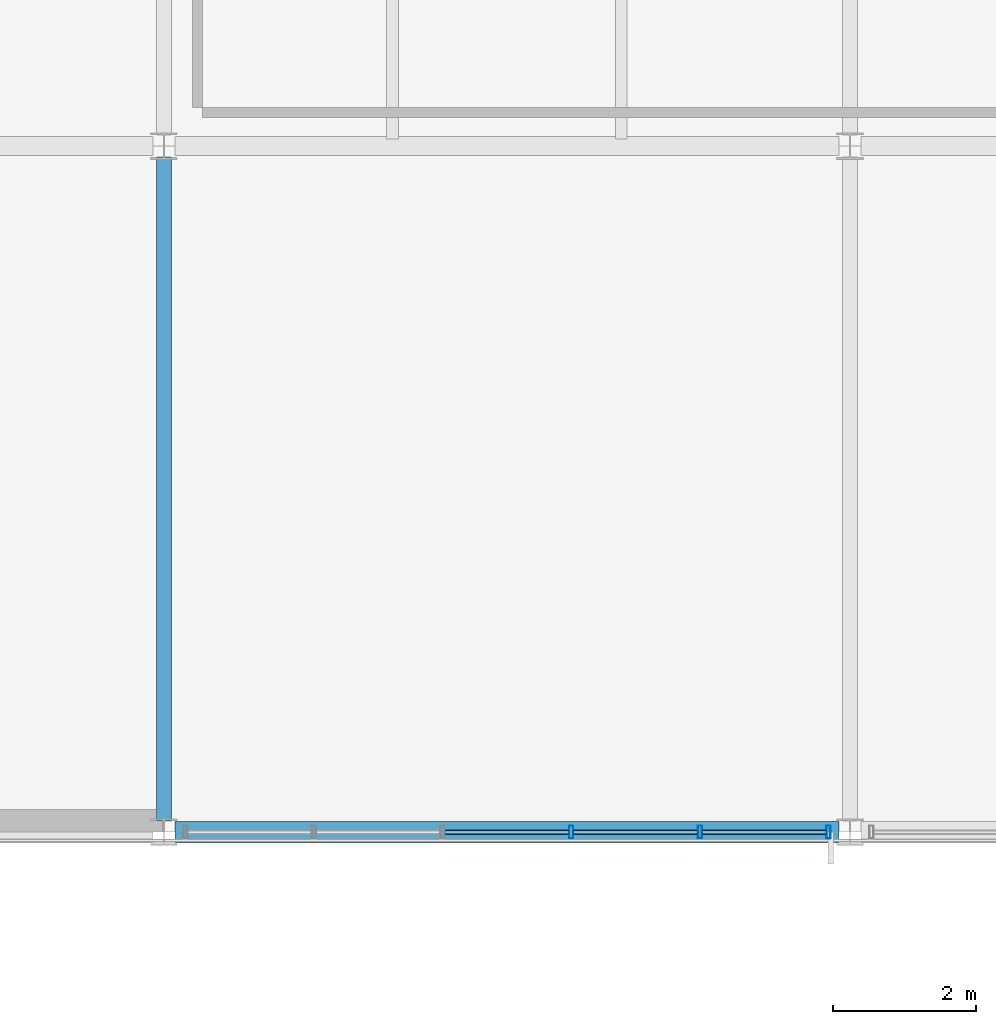
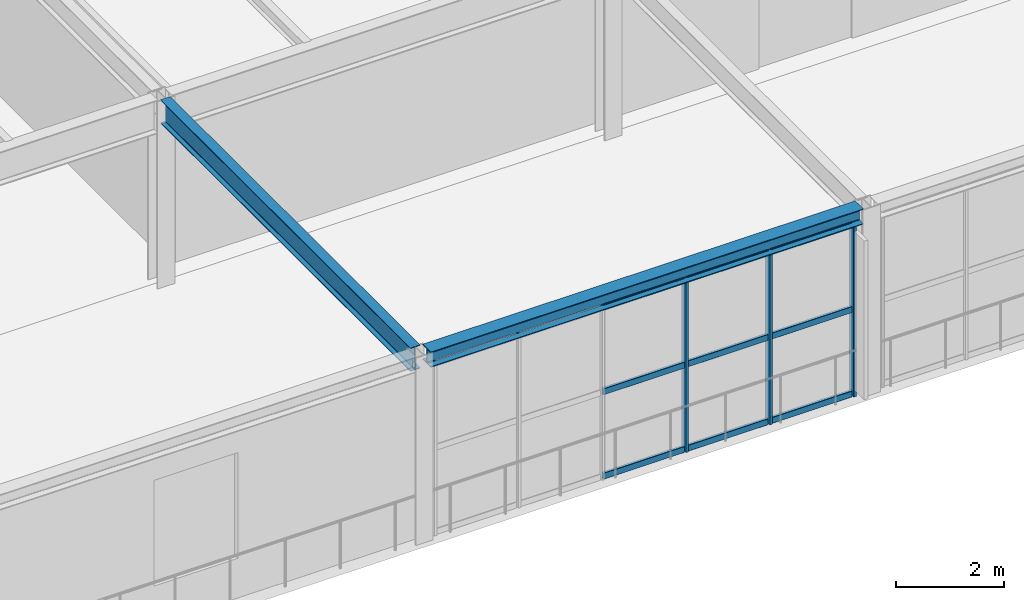
# One storey, part 96 of 170: 12 members, 2 beams, 1 element without a shape of its own.
"""IFC4 building model written with IfcOpenShell, lengths in metres."""

from ifc_helpers import new_model, si_unit, direction, frame, origin, origin_2d, place, context, subcontext, project, spatial, hollow_rectangle, i_section, extrude, material, material_profile, profile_set, type_object, element, aggregate, save


model = new_model("IFC4")

# Units and contexts
model_context = context("Model", 3, precision=1e-05, world=origin(), true_north=direction((0.0, 1.0)))
body_context = subcontext(model_context, "Body", "Model", "MODEL_VIEW")
ifc_project = project(units=[si_unit("LENGTHUNIT", "METRE"), si_unit("AREAUNIT", "SQUARE_METRE"), si_unit("VOLUMEUNIT", "CUBIC_METRE"), si_unit("PLANEANGLEUNIT", "RADIAN"), si_unit("MASSUNIT", "GRAM", prefix="KILO")], contexts=[model_context])

# Site, building, storey
site_placement = place(None, origin())
site = spatial("IfcSite", under=ifc_project, at=site_placement, CompositionType="ELEMENT")
building_placement = place(site_placement, origin())
building = spatial("IfcBuilding", under=site, at=building_placement, Name="Coralgate Yard Interchange", CompositionType="ELEMENT")
storey_placement = place(building_placement, frame((0.0, 0.0, 6.0)))
storey = spatial("IfcBuildingStorey", under=building, at=storey_placement, Name="L01", CompositionType="ELEMENT", Elevation=6.0)

# Beams
ifc_material_1 = material(Name="Structural steel S355J2", Category="steel")
ifc_material_profile_1 = material_profile(ifc_material_1, i_section(OverallWidth=0.209228515625, OverallDepth=0.533203125, WebThickness=0.010009765625, FlangeThickness=0.015625, FilletRadius=0.0126953125, at=origin_2d()), Name="UB 533x210x92")
ifc_profile_set_1 = profile_set([ifc_material_profile_1], Name="Structural steel S355J2")
beam_type_1 = type_object("IfcBeamType", Name="BM-SB-1", PredefinedType="BEAM", material=ifc_profile_set_1)
beam_1_placement = place(storey_placement, frame((86.39990234375, 67.35400390625, 3.9833984375), z_axis=(0.0, 1.0, 0.0), x_axis=(-1.0, 0.0, 0.0)))
element("IfcBeam", 1, at=beam_1_placement, inside=storey, type_object=beam_type_1, Name="L01 primary grid girder X9 Y7-8", PredefinedType="BEAM", context=body_context, shape_type="SweptSolid", body=[
    extrude(i_section(OverallWidth=0.209228515625, OverallDepth=0.533203125, WebThickness=0.010009765625, FlangeThickness=0.015625, FilletRadius=0.0126953125, at=origin_2d()), origin(), (0.0, 0.0, 1.0), 9.2919921875),
])
ifc_material_profile_2 = material_profile(ifc_material_1, i_section(OverallWidth=0.300048828125, OverallDepth=0.35009765625, WebThickness=0.010009765625, FlangeThickness=0.017578125, FilletRadius=0.027099609375, at=origin_2d()), Name="HEA 360")
ifc_profile_set_2 = profile_set([ifc_material_profile_2], Name="Structural steel S355J2")
beam_type_2 = type_object("IfcBeamType", Name="BM-SP-1", PredefinedType="SPANDREL", material=ifc_profile_set_2)
beam_2_placement = place(storey_placement, frame((86.556396484375, 67.199951171875, 4.074951171875), z_axis=(1.0, 0.0, 0.0), x_axis=(0.0, 1.0, 0.0)))
element("IfcBeam", 2, at=beam_2_placement, inside=storey, type_object=beam_type_2, Name="L01 primary grid beam Y7 X9-10", PredefinedType="SPANDREL", context=body_context, shape_type="SweptSolid", body=[
    extrude(i_section(OverallWidth=0.300048828125, OverallDepth=0.35009765625, WebThickness=0.010009765625, FlangeThickness=0.017578125, FilletRadius=0.027099609375, at=origin_2d()), origin(), (0.0, 0.0, 1.0), 9.287353515625),
])

# Curtain wall, members
ifc_material_2 = material(Name="Anodised coastal aluminium and solar-control low-E glass", Category="aluminium")
curtain_wall_type = type_object("IfcCurtainWallType", Name="CW-CW-L01-A", PredefinedType="NOTDEFINED", material=ifc_material_2)
curtain_wall_placement = place(storey_placement, origin())
curtain_wall = element("IfcCurtainWall", 3, at=curtain_wall_placement, inside=storey, type_object=curtain_wall_type, Name="L01 unitised curtain wall CW-L01-S-09-07", PredefinedType="NOTDEFINED")
ifc_material_3 = material(Name="Anodised coastal aluminium 6063-T6", Category="aluminium")
ifc_material_profile_3 = material_profile(ifc_material_3, hollow_rectangle(XDim=0.06005859375, YDim=0.179931640625, WallThickness=0.00390625, InnerFilletRadius=0.00390625, OuterFilletRadius=0.008056640625, at=origin_2d()), Name="ALU 60x180x4")
ifc_profile_set_3 = profile_set([ifc_material_profile_3], Name="Anodised coastal aluminium 6063-T6")
member_type_1 = type_object("IfcMemberType", Name="MB-MUL-180", PredefinedType="MULLION", material=ifc_profile_set_3)
member_1_placement = place(storey_placement, frame((95.699951171875, 67.199951171875, 0.0), z_axis=(0.0, 0.0, 1.0), x_axis=(1.0, 0.0, 0.0)))
member_1 = element("IfcMember", 4, at=member_1_placement, type_object=member_type_1, Name="CW-L01-S-09-07 vertical mullion 1", PredefinedType="MULLION", context=body_context, shape_type="SweptSolid", body=[
    extrude(hollow_rectangle(XDim=0.06005859375, YDim=0.179931640625, WallThickness=0.00390625, InnerFilletRadius=0.00390625, OuterFilletRadius=0.008056640625, at=origin_2d()), origin(), (0.0, 0.0, 1.0), 3.89990234375),
])
member_2_placement = place(storey_placement, frame((93.89990234375, 67.199951171875, 0.0), z_axis=(0.0, 0.0, 1.0), x_axis=(1.0, 0.0, 0.0)))
member_2 = element("IfcMember", 5, at=member_2_placement, type_object=member_type_1, Name="CW-L01-S-09-07 vertical mullion 2", PredefinedType="MULLION", context=body_context, shape_type="SweptSolid", body=[
    extrude(hollow_rectangle(XDim=0.06005859375, YDim=0.179931640625, WallThickness=0.00390625, InnerFilletRadius=0.00390625, OuterFilletRadius=0.008056640625, at=origin_2d()), origin(), (0.0, 0.0, 1.0), 3.89990234375),
])
member_3_placement = place(storey_placement, frame((92.10009765625, 67.199951171875, 0.0), z_axis=(0.0, 0.0, 1.0), x_axis=(1.0, 0.0, 0.0)))
member_3 = element("IfcMember", 6, at=member_3_placement, type_object=member_type_1, Name="CW-L01-S-09-07 vertical mullion 3", PredefinedType="MULLION", context=body_context, shape_type="SweptSolid", body=[
    extrude(hollow_rectangle(XDim=0.06005859375, YDim=0.179931640625, WallThickness=0.00390625, InnerFilletRadius=0.00390625, OuterFilletRadius=0.008056640625, at=origin_2d()), origin(), (0.0, 0.0, 1.0), 3.89990234375),
])
ifc_material_profile_4 = material_profile(ifc_material_3, hollow_rectangle(XDim=0.06005859375, YDim=0.139892578125, WallThickness=0.00341796875, InnerFilletRadius=0.00341796875, OuterFilletRadius=0.007080078125, at=origin_2d()), Name="ALU 60x140x3.5")
ifc_profile_set_4 = profile_set([ifc_material_profile_4], Name="Anodised coastal aluminium 6063-T6")
member_type_2 = type_object("IfcMemberType", Name="MB-TRN-140", PredefinedType="USERDEFINED", material=ifc_profile_set_4)
member_4_placement = place(storey_placement, frame((95.669921875, 67.199951171875, 0.034912109375), z_axis=(-1.0, 0.0, 0.0), x_axis=(0.0, -1.0, 0.0)))
member_4 = element("IfcMember", 7, at=member_4_placement, type_object=member_type_2, Name="CW-L01-S-09-07 horizontal transom 1-1", ObjectType="TRANSOM", PredefinedType="USERDEFINED", context=body_context, shape_type="SweptSolid", body=[
    extrude(hollow_rectangle(XDim=0.06005859375, YDim=0.139892578125, WallThickness=0.00341796875, InnerFilletRadius=0.00341796875, OuterFilletRadius=0.007080078125, at=origin_2d()), origin(), (0.0, 0.0, 1.0), 1.739990234375),
])
member_5_placement = place(storey_placement, frame((95.669921875, 67.199951171875, 1.949951171875), z_axis=(-1.0, 0.0, 0.0), x_axis=(0.0, -1.0, 0.0)))
member_5 = element("IfcMember", 8, at=member_5_placement, type_object=member_type_2, Name="CW-L01-S-09-07 horizontal transom 1-2", ObjectType="TRANSOM", PredefinedType="USERDEFINED", context=body_context, shape_type="SweptSolid", body=[
    extrude(hollow_rectangle(XDim=0.06005859375, YDim=0.139892578125, WallThickness=0.00341796875, InnerFilletRadius=0.00341796875, OuterFilletRadius=0.007080078125, at=origin_2d()), origin(), (0.0, 0.0, 1.0), 1.739990234375),
])
member_6_placement = place(storey_placement, frame((95.669921875, 67.199951171875, 3.864990234375), z_axis=(-1.0, 0.0, 0.0), x_axis=(0.0, -1.0, 0.0)))
member_6 = element("IfcMember", 9, at=member_6_placement, type_object=member_type_2, Name="CW-L01-S-09-07 horizontal transom 1-3", ObjectType="TRANSOM", PredefinedType="USERDEFINED", context=body_context, shape_type="SweptSolid", body=[
    extrude(hollow_rectangle(XDim=0.06005859375, YDim=0.139892578125, WallThickness=0.00341796875, InnerFilletRadius=0.00341796875, OuterFilletRadius=0.007080078125, at=origin_2d()), origin(), (0.0, 0.0, 1.0), 1.739990234375),
])
member_7_placement = place(storey_placement, frame((93.8701171875, 67.199951171875, 0.034912109375), z_axis=(-1.0, 0.0, 0.0), x_axis=(0.0, -1.0, 0.0)))
member_7 = element("IfcMember", 10, at=member_7_placement, type_object=member_type_2, Name="CW-L01-S-09-07 horizontal transom 2-1", ObjectType="TRANSOM", PredefinedType="USERDEFINED", context=body_context, shape_type="SweptSolid", body=[
    extrude(hollow_rectangle(XDim=0.06005859375, YDim=0.139892578125, WallThickness=0.00341796875, InnerFilletRadius=0.00341796875, OuterFilletRadius=0.007080078125, at=origin_2d()), origin(), (0.0, 0.0, 1.0), 1.740234375),
])
member_8_placement = place(storey_placement, frame((93.8701171875, 67.199951171875, 1.949951171875), z_axis=(-1.0, 0.0, 0.0), x_axis=(0.0, -1.0, 0.0)))
member_8 = element("IfcMember", 11, at=member_8_placement, type_object=member_type_2, Name="CW-L01-S-09-07 horizontal transom 2-2", ObjectType="TRANSOM", PredefinedType="USERDEFINED", context=body_context, shape_type="SweptSolid", body=[
    extrude(hollow_rectangle(XDim=0.06005859375, YDim=0.139892578125, WallThickness=0.00341796875, InnerFilletRadius=0.00341796875, OuterFilletRadius=0.007080078125, at=origin_2d()), origin(), (0.0, 0.0, 1.0), 1.740234375),
])
member_9_placement = place(storey_placement, frame((93.8701171875, 67.199951171875, 3.864990234375), z_axis=(-1.0, 0.0, 0.0), x_axis=(0.0, -1.0, 0.0)))
member_9 = element("IfcMember", 12, at=member_9_placement, type_object=member_type_2, Name="CW-L01-S-09-07 horizontal transom 2-3", ObjectType="TRANSOM", PredefinedType="USERDEFINED", context=body_context, shape_type="SweptSolid", body=[
    extrude(hollow_rectangle(XDim=0.06005859375, YDim=0.139892578125, WallThickness=0.00341796875, InnerFilletRadius=0.00341796875, OuterFilletRadius=0.007080078125, at=origin_2d()), origin(), (0.0, 0.0, 1.0), 1.740234375),
])
member_10_placement = place(storey_placement, frame((92.070068359375, 67.199951171875, 0.034912109375), z_axis=(-1.0, 0.0, 0.0), x_axis=(0.0, -1.0, 0.0)))
member_10 = element("IfcMember", 13, at=member_10_placement, type_object=member_type_2, Name="CW-L01-S-09-07 horizontal transom 3-1", ObjectType="TRANSOM", PredefinedType="USERDEFINED", context=body_context, shape_type="SweptSolid", body=[
    extrude(hollow_rectangle(XDim=0.06005859375, YDim=0.139892578125, WallThickness=0.00341796875, InnerFilletRadius=0.00341796875, OuterFilletRadius=0.007080078125, at=origin_2d()), origin(), (0.0, 0.0, 1.0), 1.739990234375),
])
member_11_placement = place(storey_placement, frame((92.070068359375, 67.199951171875, 1.949951171875), z_axis=(-1.0, 0.0, 0.0), x_axis=(0.0, -1.0, 0.0)))
member_11 = element("IfcMember", 14, at=member_11_placement, type_object=member_type_2, Name="CW-L01-S-09-07 horizontal transom 3-2", ObjectType="TRANSOM", PredefinedType="USERDEFINED", context=body_context, shape_type="SweptSolid", body=[
    extrude(hollow_rectangle(XDim=0.06005859375, YDim=0.139892578125, WallThickness=0.00341796875, InnerFilletRadius=0.00341796875, OuterFilletRadius=0.007080078125, at=origin_2d()), origin(), (0.0, 0.0, 1.0), 1.739990234375),
])
member_12_placement = place(storey_placement, frame((92.070068359375, 67.199951171875, 3.864990234375), z_axis=(-1.0, 0.0, 0.0), x_axis=(0.0, -1.0, 0.0)))
member_12 = element("IfcMember", 15, at=member_12_placement, type_object=member_type_2, Name="CW-L01-S-09-07 horizontal transom 3-3", ObjectType="TRANSOM", PredefinedType="USERDEFINED", context=body_context, shape_type="SweptSolid", body=[
    extrude(hollow_rectangle(XDim=0.06005859375, YDim=0.139892578125, WallThickness=0.00341796875, InnerFilletRadius=0.00341796875, OuterFilletRadius=0.007080078125, at=origin_2d()), origin(), (0.0, 0.0, 1.0), 1.739990234375),
])
aggregate(curtain_wall, [member_1, member_2, member_3, member_4, member_5, member_6, member_7, member_8, member_9, member_10, member_11, member_12])

save(model, "model.ifc")
